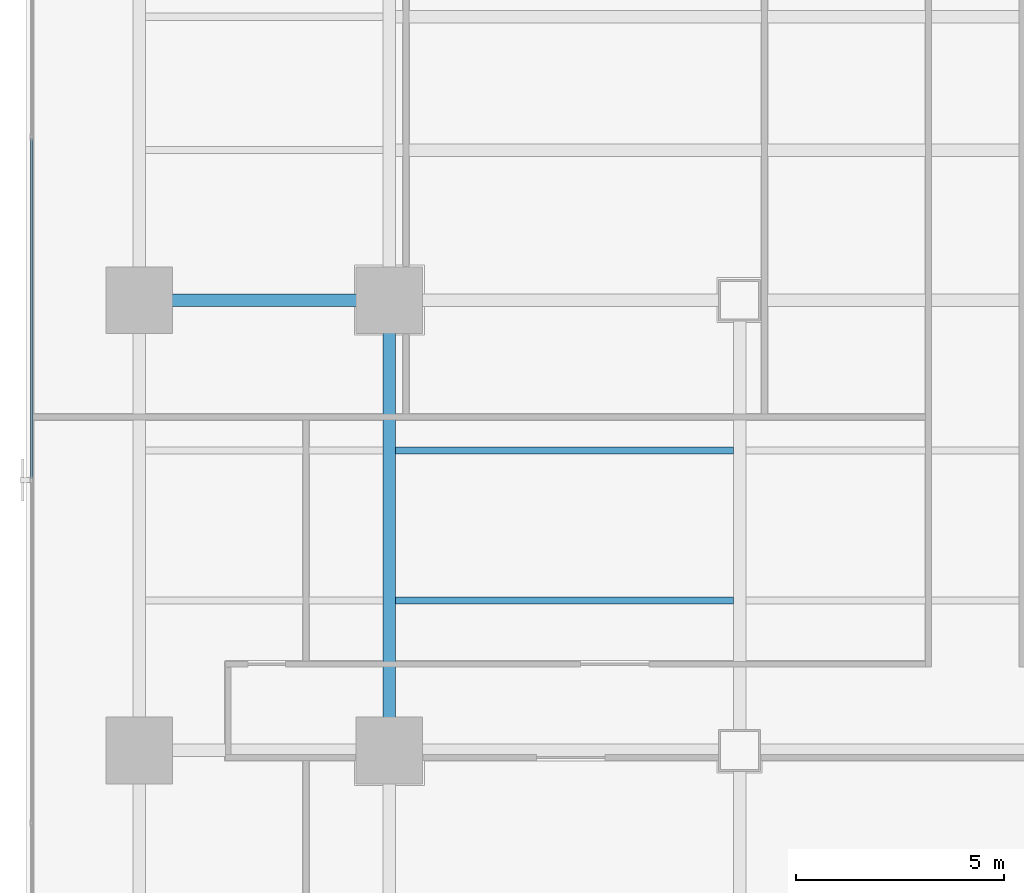
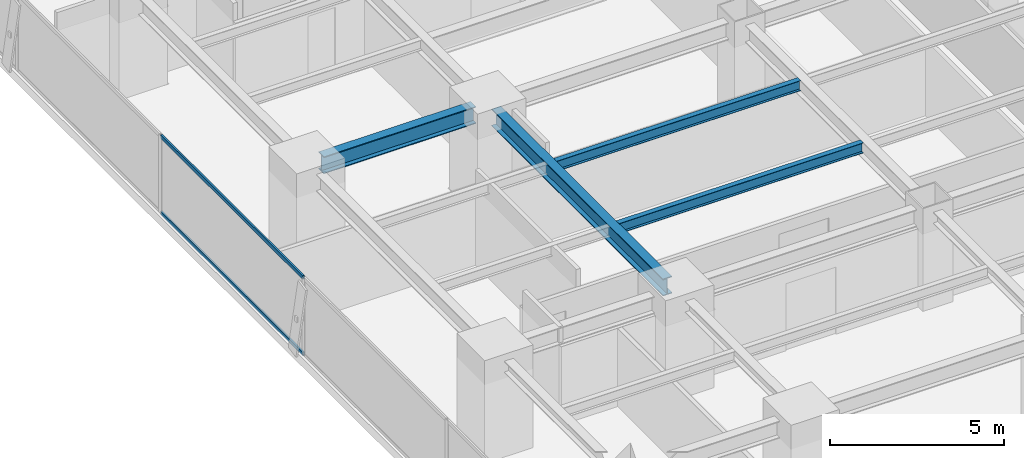
# One storey, part 9 of 36: 4 beams, 2 members, 1 element without a shape of its own.
"""IFC4 building model written with IfcOpenShell, lengths in metres."""

from ifc_helpers import new_model, si_unit, direction, frame, origin, origin_2d, place, context, subcontext, project, spatial, hollow_rectangle, i_section, extrude, source, transform, mapped, material, layer, layer_set, material_profile, profile_set, type_object, element, aggregate, save


model = new_model("IFC4")

# Units and contexts
model_context = context("Model", 3, precision=1e-05, world=origin(), true_north=direction((0.0, 1.0)))
body_context = subcontext(model_context, "Body", "Model", "MODEL_VIEW")
ifc_project = project(units=[si_unit("LENGTHUNIT", "METRE"), si_unit("AREAUNIT", "SQUARE_METRE"), si_unit("VOLUMEUNIT", "CUBIC_METRE"), si_unit("PLANEANGLEUNIT", "RADIAN"), si_unit("MASSUNIT", "GRAM", prefix="KILO")], contexts=[model_context])

# Site, building, storey
site_placement = place(None, origin())
site = spatial("IfcSite", under=ifc_project, at=site_placement, CompositionType="ELEMENT")
building_placement = place(site_placement, origin())
building = spatial("IfcBuilding", under=site, at=building_placement, Name="Sumidabori Civic Tower", CompositionType="ELEMENT")
storey_placement = place(building_placement, frame((0.0, 0.0, 77.60009765625)))
storey = spatial("IfcBuildingStorey", under=building, at=storey_placement, Name="L19", CompositionType="ELEMENT", Elevation=77.60009765625)

# Beams
ifc_material_1 = material(Name="Steel SN490", Category="steel")
ifc_material_profile_1 = material_profile(ifc_material_1, i_section(OverallWidth=0.300048828125, OverallDepth=0.60009765625, WebThickness=0.015380859375, FlangeThickness=0.030029296875, at=origin_2d()), Name="HE 600 B")
ifc_profile_set_1 = profile_set([ifc_material_profile_1], Name="Steel SN490")
beam_type_1 = type_object("IfcBeamType", Name="BM-GIRD-600", PredefinedType="BEAM", material=ifc_profile_set_1)
shared_shape_1 = source(origin(), body_context, "Body", "SweptSolid", [
    extrude(i_section(OverallWidth=0.300048828125, OverallDepth=0.60009765625, WebThickness=0.015380859375, FlangeThickness=0.030029296875, at=origin_2d()), origin(), (0.0, 0.0, 1.0), 5.0400390625),
])
beam_1_placement = place(storey_placement, frame((-22.320068359375, 0.0, 3.059814453125), z_axis=(1.0, 0.0, 0.0), x_axis=(0.0, 1.0, 0.0)))
element("IfcBeam", 1, at=beam_1_placement, inside=storey, type_object=beam_type_1, Name="Primary Girder L19 GX-13", PredefinedType="BEAM", context=body_context, shape_type="MappedRepresentation", body=[
    mapped(shared_shape_1, transform((0.0, 0.0, 0.0), x_axis=(1.0, 0.0, 0.0), y_axis=(0.0, 1.0, 0.0), z_axis=(0.0, 0.0, 1.0), scale=1.0)),
])
shared_shape_2 = source(origin(), body_context, "Body", "SweptSolid", [
    extrude(i_section(OverallWidth=0.300048828125, OverallDepth=0.60009765625, WebThickness=0.015380859375, FlangeThickness=0.030029296875, at=origin_2d()), origin(), (0.0, 0.0, 1.0), 9.840087890625),
])
beam_2_placement = place(storey_placement, frame((-16.800048828125, -10.320068359375, 3.059814453125), z_axis=(0.0, 1.0, 0.0), x_axis=(-1.0, 0.0, 0.0)))
element("IfcBeam", 2, at=beam_2_placement, inside=storey, type_object=beam_type_1, Name="Primary Girder L19 GY-26", PredefinedType="BEAM", context=body_context, shape_type="MappedRepresentation", body=[
    mapped(shared_shape_2, transform((0.0, 0.0, 0.0), x_axis=(1.0, 0.0, 0.0), y_axis=(0.0, 1.0, 0.0), z_axis=(0.0, 0.0, 1.0), scale=1.0)),
])
ifc_material_profile_2 = material_profile(ifc_material_1, i_section(OverallWidth=0.169921875, OverallDepth=0.360107421875, WebThickness=0.008056640625, FlangeThickness=0.0126953125, at=origin_2d()), Name="IPE 360")
ifc_profile_set_2 = profile_set([ifc_material_profile_2], Name="Steel SN490")
beam_type_2 = type_object("IfcBeamType", Name="BM-JST-360", PredefinedType="JOIST", material=ifc_profile_set_2)
shared_shape_3 = source(origin(), body_context, "Body", "SweptSolid", [
    extrude(i_section(OverallWidth=0.169921875, OverallDepth=0.360107421875, WebThickness=0.008056640625, FlangeThickness=0.0126953125, at=origin_2d()), origin(), (0.0, 0.0, 1.0), 8.099853515625),
])
for number, where, z_axis, x_axis, name in (
    (3, (-16.64990234375, -7.199951171875, 3.179931640625), (1.0, 0.0, 0.0), (0.0, 1.0, 0.0), "South Bay Floor Joist L19 JSTS-59"),
    (4, (-16.64990234375, -3.60009765625, 3.179931640625), (1.0, 0.0, 0.0), (0.0, 1.0, 0.0), "South Bay Floor Joist L19 JSTS-63"),
):
    element("IfcBeam", number, at=place(storey_placement, frame(where, z_axis=z_axis, x_axis=x_axis)), inside=storey, type_object=beam_type_2, Name=name, PredefinedType="JOIST", context=body_context, shape_type="MappedRepresentation", body=[
        mapped(shared_shape_3, transform((0.0, 0.0, 0.0), x_axis=(1.0, 0.0, 0.0), y_axis=(0.0, 1.0, 0.0), z_axis=(0.0, 0.0, 1.0), scale=1.0)),
    ])

# Curtain wall, members
ifc_material_2 = material(Name="Anodised Bronze Aluminium AW-6063-T6", Category="aluminium")
ifc_layer = layer(ifc_material_2, 0.179931640625, Name="Anodised Bronze Aluminium AW-6063-T6")
ifc_layer_set = layer_set([ifc_layer], Name="Anodised Bronze Aluminium AW-6063-T6")
curtain_wall_type = type_object("IfcCurtainWallType", Name="CW-SYS-3", PredefinedType="NOTDEFINED", material=ifc_layer_set)
curtain_wall_placement = place(storey_placement, origin())
curtain_wall = element("IfcCurtainWall", 5, at=curtain_wall_placement, inside=storey, type_object=curtain_wall_type, Name="Curtain Wall CW:L19:R10", PredefinedType="NOTDEFINED")
ifc_material_profile_3 = material_profile(ifc_material_2, hollow_rectangle(XDim=0.06005859375, YDim=0.1298828125, WallThickness=0.0048828125, at=origin_2d()), Name="ALU TRANSOM 130x60")
ifc_profile_set_3 = profile_set([ifc_material_profile_3], Name="Anodised Bronze Aluminium AW-6063-T6")
member_type = type_object("IfcMemberType", Name="CW-TRN-130", PredefinedType="USERDEFINED", material=ifc_profile_set_3)
shared_shape_4 = source(origin(), body_context, "Body", "SweptSolid", [
    extrude(hollow_rectangle(XDim=0.06005859375, YDim=0.1298828125, WallThickness=0.0048828125, at=origin_2d()), origin(), (0.0, 0.0, 1.0), 8.1630859375),
])
member_1_placement = place(storey_placement, frame((-25.3798828125, 3.881591796875, 0.02978515625), z_axis=(0.0, -1.0, 0.0), x_axis=(1.0, 0.0, 0.0)))
member_1 = element("IfcMember", 6, at=member_1_placement, type_object=member_type, Name="CW-3 transom 3.1", ObjectType="TRANSOM", PredefinedType="USERDEFINED", context=body_context, shape_type="MappedRepresentation", body=[
    mapped(shared_shape_4, transform((0.0, 0.0, 0.0), x_axis=(1.0, 0.0, 0.0), y_axis=(0.0, 1.0, 0.0), z_axis=(0.0, 0.0, 1.0), scale=1.0)),
])
member_2_placement = place(storey_placement, frame((-25.3798828125, 3.881591796875, 2.7099609375), z_axis=(0.0, -1.0, 0.0), x_axis=(1.0, 0.0, 0.0)))
member_2 = element("IfcMember", 7, at=member_2_placement, type_object=member_type, Name="CW-3 transom 3.2", ObjectType="TRANSOM", PredefinedType="USERDEFINED", context=body_context, shape_type="MappedRepresentation", body=[
    mapped(shared_shape_4, transform((0.0, 0.0, 0.0), x_axis=(1.0, 0.0, 0.0), y_axis=(0.0, 1.0, 0.0), z_axis=(0.0, 0.0, 1.0), scale=1.0)),
])
aggregate(curtain_wall, [member_1, member_2])

save(model, "model.ifc")
